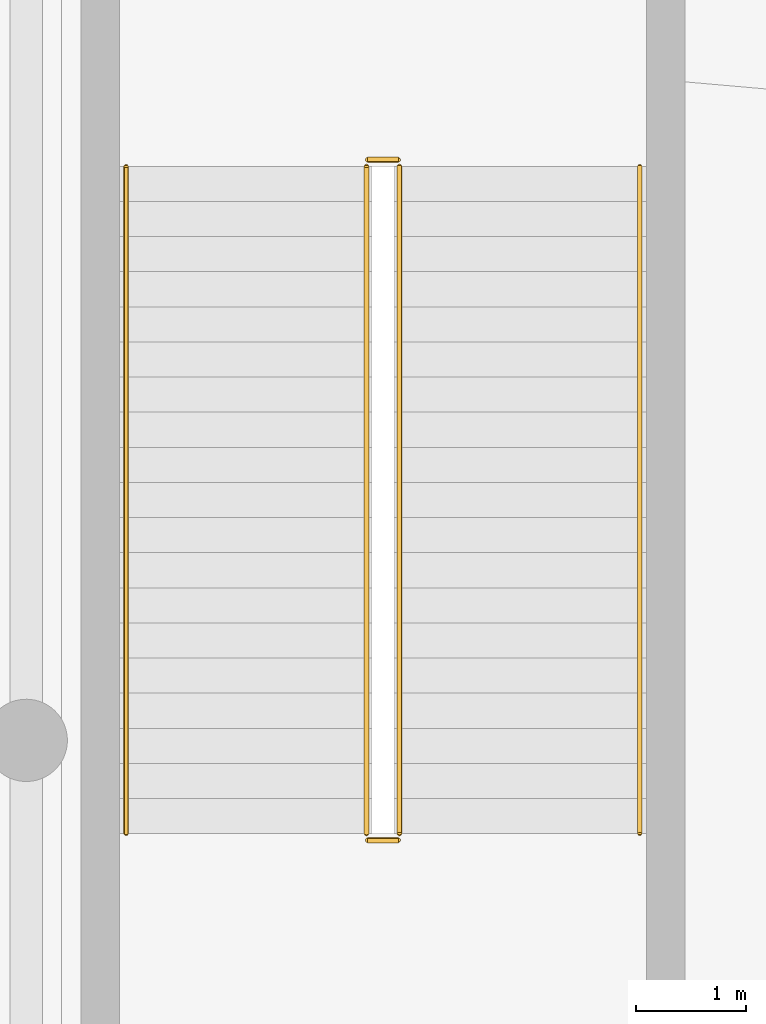
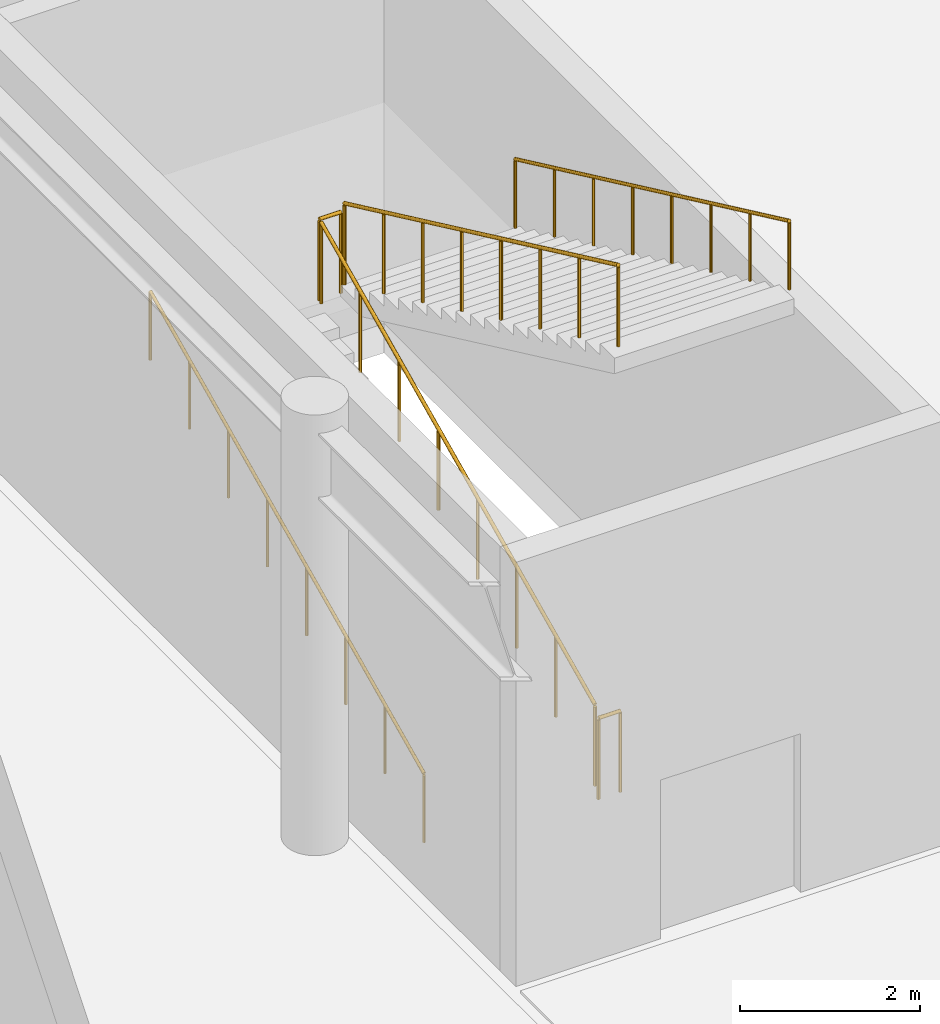
# One storey, part 108 of 118: 6 railings, 1 element without a shape of its own.
"""IFC4 building model written with IfcOpenShell, lengths in metres."""

from ifc_helpers import new_model, si_unit, direction, frame, origin, origin_2d, place, context, subcontext, project, spatial, circle, extrude, material, type_object, element, aggregate, save


model = new_model("IFC4")

# Units and contexts
model_context = context("Model", 3, precision=1e-05, world=origin(), true_north=direction((0.0, 1.0)))
body_context = subcontext(model_context, "Body", "Model", "MODEL_VIEW")
ifc_project = project(units=[si_unit("LENGTHUNIT", "METRE"), si_unit("AREAUNIT", "SQUARE_METRE"), si_unit("VOLUMEUNIT", "CUBIC_METRE"), si_unit("PLANEANGLEUNIT", "RADIAN"), si_unit("MASSUNIT", "GRAM", prefix="KILO")], contexts=[model_context])

# Site, building, storey
site_placement = place(None, origin())
site = spatial("IfcSite", under=ifc_project, at=site_placement, CompositionType="ELEMENT")
building_placement = place(site_placement, origin())
building = spatial("IfcBuilding", under=site, at=building_placement, Name="Kolvaren Corner Interchange", CompositionType="ELEMENT")
storey_placement = place(building_placement, origin())
storey = spatial("IfcBuildingStorey", under=building, at=storey_placement, Name="L01", CompositionType="ELEMENT", Elevation=0.0)

# Railing
ifc_material_1 = material(Name="Powder-Coated Steel Stairwell Guardrail", Category="steel")
railing_type_1 = type_object("IfcRailingType", Name="RLT-STAIR-GRD1120", PredefinedType="GUARDRAIL", material=ifc_material_1)
railing_1_placement = place(storey_placement, frame((117.110107421875, 53.090087890625, 0.0)))
element("IfcRailing", 1, at=railing_1_placement, inside=storey, type_object=railing_type_1, Name="Core C4 East Concourse Transfer Stair L01 Landing Edge Guardrail", PredefinedType="GUARDRAIL", context=body_context, shape_type="SweptSolid", body=[
    extrude(circle(Radius=0.02392578125, at=origin_2d()), frame((0.0, 0.0, 1.09619140625), z_axis=(1.0, 0.0, 0.0), x_axis=(0.0, 1.0, 0.0)), (0.0, 0.0, 1.0), 0.27978515625),
    extrude(circle(Radius=0.02001953125, at=origin_2d()), origin(), (0.0, 0.0, 1.0), 1.072021484375),
    extrude(circle(Radius=0.02001953125, at=origin_2d()), frame((0.27978515625, 0.0, 0.0)), (0.0, 0.0, 1.0), 1.072021484375),
])

# Stair, railings
ifc_material_2 = material(Name="Concrete C35/45", Category="concrete")
stair_type = type_object("IfcStairType", Name="ST-TR-2300", PredefinedType="HALF_TURN_STAIR", material=ifc_material_2)
stair_placement = place(storey_placement, origin())
stair = element("IfcStair", 2, at=stair_placement, inside=storey, type_object=stair_type, Name="Core C4 East Concourse Transfer Stair L01 to L02 Stair", PredefinedType="HALF_TURN_STAIR")
railing_2_placement = place(storey_placement, frame((117.10009765625, 53.14990234375, 0.14990234375)))
railing_2 = element("IfcRailing", 3, at=railing_2_placement, type_object=railing_type_1, Name="Core C4 East Concourse Transfer Stair L01 Lower Flight Well Guardrail", PredefinedType="GUARDRAIL", context=body_context, shape_type="SweptSolid", body=[
    extrude(circle(Radius=0.02392578125, at=origin_2d()), frame((0.0, 0.0, 1.09619140625), z_axis=(0.0, 0.905455442782, 0.424441328262), x_axis=(-1.0, 0.0, 0.0)), (0.0, 0.0, 1.0), 6.71484375),
    extrude(circle(Radius=0.02001953125, at=origin_2d()), origin(), (0.0, 0.0, 1.0), 1.072021484375),
    extrude(circle(Radius=0.02001953125, at=origin_2d()), frame((0.0, 0.86865234375, 0.4072265625)), (0.0, 0.0, 1.0), 1.072021484375),
    extrude(circle(Radius=0.02001953125, at=origin_2d()), frame((0.0, 1.737060546875, 0.814208984375)), (0.0, 0.0, 1.0), 1.072021484375),
    extrude(circle(Radius=0.02001953125, at=origin_2d()), frame((0.0, 2.605712890625, 1.221435546875)), (0.0, 0.0, 1.0), 1.072021484375),
    extrude(circle(Radius=0.02001953125, at=origin_2d()), frame((0.0, 3.474365234375, 1.628662109375)), (0.0, 0.0, 1.0), 1.072021484375),
    extrude(circle(Radius=0.02001953125, at=origin_2d()), frame((0.0, 4.343017578125, 2.035888671875)), (0.0, 0.0, 1.0), 1.072021484375),
    extrude(circle(Radius=0.02001953125, at=origin_2d()), frame((0.0, 5.21142578125, 2.44287109375)), (0.0, 0.0, 1.0), 1.072021484375),
    extrude(circle(Radius=0.02001953125, at=origin_2d()), frame((0.0, 6.080078125, 2.85009765625)), (0.0, 0.0, 1.0), 1.072021484375),
])
railing_3_placement = place(storey_placement, frame((117.110107421875, 59.2900390625, 3.0)))
railing_3 = element("IfcRailing", 4, at=railing_3_placement, type_object=railing_type_1, Name="Core C4 East Concourse Transfer Stair L01 Half Landing Well Guardrail", PredefinedType="GUARDRAIL", context=body_context, shape_type="SweptSolid", body=[
    extrude(circle(Radius=0.02392578125, at=origin_2d()), frame((0.0, 0.0, 1.09619140625), z_axis=(1.0, 0.0, 0.0), x_axis=(0.0, 1.0, 0.0)), (0.0, 0.0, 1.0), 0.27978515625),
    extrude(circle(Radius=0.02001953125, at=origin_2d()), origin(), (0.0, 0.0, 1.0), 1.072021484375),
    extrude(circle(Radius=0.02001953125, at=origin_2d()), frame((0.27978515625, 0.0, 0.0)), (0.0, 0.0, 1.0), 1.072021484375),
])
railing_4_placement = place(storey_placement, frame((117.39990234375, 59.22998046875, 3.14990234375)))
railing_4 = element("IfcRailing", 5, at=railing_4_placement, type_object=railing_type_1, Name="Core C4 East Concourse Transfer Stair L01 Upper Flight Well Guardrail", PredefinedType="GUARDRAIL", context=body_context, shape_type="SweptSolid", body=[
    extrude(circle(Radius=0.02392578125, at=origin_2d()), frame((0.0, 0.0, 1.09619140625), z_axis=(0.0, -0.905455442782, 0.424441328262), x_axis=(1.0, 0.0, 0.0)), (0.0, 0.0, 1.0), 6.71484375),
    extrude(circle(Radius=0.02001953125, at=origin_2d()), origin(), (0.0, 0.0, 1.0), 1.072021484375),
    extrude(circle(Radius=0.02001953125, at=origin_2d()), frame((0.0, -0.86865234375, 0.4072265625)), (0.0, 0.0, 1.0), 1.072021484375),
    extrude(circle(Radius=0.02001953125, at=origin_2d()), frame((0.0, -1.737060546875, 0.814208984375)), (0.0, 0.0, 1.0), 1.072021484375),
    extrude(circle(Radius=0.02001953125, at=origin_2d()), frame((0.0, -2.605712890625, 1.221435546875)), (0.0, 0.0, 1.0), 1.072021484375),
    extrude(circle(Radius=0.02001953125, at=origin_2d()), frame((0.0, -3.474365234375, 1.628662109375)), (0.0, 0.0, 1.0), 1.072021484375),
    extrude(circle(Radius=0.02001953125, at=origin_2d()), frame((0.0, -4.343017578125, 2.035888671875)), (0.0, 0.0, 1.0), 1.072021484375),
    extrude(circle(Radius=0.02001953125, at=origin_2d()), frame((0.0, -5.21142578125, 2.44287109375)), (0.0, 0.0, 1.0), 1.072021484375),
    extrude(circle(Radius=0.02001953125, at=origin_2d()), frame((0.0, -6.080078125, 2.85009765625)), (0.0, 0.0, 1.0), 1.072021484375),
])
ifc_material_3 = material(Name="Brushed Stainless Steel Stair Handrail", Category="steel")
railing_type_2 = type_object("IfcRailingType", Name="RLT-STAIR-HR950", PredefinedType="HANDRAIL", material=ifc_material_3)
railing_5_placement = place(storey_placement, frame((114.909912109375, 53.14990234375, 0.14990234375)))
railing_5 = element("IfcRailing", 6, at=railing_5_placement, type_object=railing_type_2, Name="Core C4 East Concourse Transfer Stair L01 Lower Flight Wall Handrail", PredefinedType="HANDRAIL", context=body_context, shape_type="SweptSolid", body=[
    extrude(circle(Radius=0.02197265625, at=origin_2d()), frame((0.0, 0.0, 0.927978515625), z_axis=(0.0, 0.905455442782, 0.424441328262), x_axis=(-1.0, 0.0, 0.0)), (0.0, 0.0, 1.0), 6.71484375),
    extrude(circle(Radius=0.01806640625, at=origin_2d()), origin(), (0.0, 0.0, 1.0), 0.906005859375),
    extrude(circle(Radius=0.01806640625, at=origin_2d()), frame((0.0, 0.86865234375, 0.4072265625)), (0.0, 0.0, 1.0), 0.906005859375),
    extrude(circle(Radius=0.01806640625, at=origin_2d()), frame((0.0, 1.737060546875, 0.814208984375)), (0.0, 0.0, 1.0), 0.906005859375),
    extrude(circle(Radius=0.01806640625, at=origin_2d()), frame((0.0, 2.605712890625, 1.221435546875)), (0.0, 0.0, 1.0), 0.906005859375),
    extrude(circle(Radius=0.01806640625, at=origin_2d()), frame((0.0, 3.474365234375, 1.628662109375)), (0.0, 0.0, 1.0), 0.906005859375),
    extrude(circle(Radius=0.01806640625, at=origin_2d()), frame((0.0, 4.343017578125, 2.035888671875)), (0.0, 0.0, 1.0), 0.906005859375),
    extrude(circle(Radius=0.01806640625, at=origin_2d()), frame((0.0, 5.21142578125, 2.44287109375)), (0.0, 0.0, 1.0), 0.906005859375),
    extrude(circle(Radius=0.01806640625, at=origin_2d()), frame((0.0, 6.080078125, 2.85009765625)), (0.0, 0.0, 1.0), 0.906005859375),
])
railing_6_placement = place(storey_placement, frame((119.590087890625, 59.22998046875, 3.14990234375)))
railing_6 = element("IfcRailing", 7, at=railing_6_placement, type_object=railing_type_2, Name="Core C4 East Concourse Transfer Stair L01 Upper Flight Wall Handrail", PredefinedType="HANDRAIL", context=body_context, shape_type="SweptSolid", body=[
    extrude(circle(Radius=0.02197265625, at=origin_2d()), frame((0.0, 0.0, 0.927978515625), z_axis=(0.0, -0.905455442782, 0.424441328262), x_axis=(1.0, 0.0, 0.0)), (0.0, 0.0, 1.0), 6.71484375),
    extrude(circle(Radius=0.01806640625, at=origin_2d()), origin(), (0.0, 0.0, 1.0), 0.906005859375),
    extrude(circle(Radius=0.01806640625, at=origin_2d()), frame((0.0, -0.86865234375, 0.4072265625)), (0.0, 0.0, 1.0), 0.906005859375),
    extrude(circle(Radius=0.01806640625, at=origin_2d()), frame((0.0, -1.737060546875, 0.814208984375)), (0.0, 0.0, 1.0), 0.906005859375),
    extrude(circle(Radius=0.01806640625, at=origin_2d()), frame((0.0, -2.605712890625, 1.221435546875)), (0.0, 0.0, 1.0), 0.906005859375),
    extrude(circle(Radius=0.01806640625, at=origin_2d()), frame((0.0, -3.474365234375, 1.628662109375)), (0.0, 0.0, 1.0), 0.906005859375),
    extrude(circle(Radius=0.01806640625, at=origin_2d()), frame((0.0, -4.343017578125, 2.035888671875)), (0.0, 0.0, 1.0), 0.906005859375),
    extrude(circle(Radius=0.01806640625, at=origin_2d()), frame((0.0, -5.21142578125, 2.44287109375)), (0.0, 0.0, 1.0), 0.906005859375),
    extrude(circle(Radius=0.01806640625, at=origin_2d()), frame((0.0, -6.080078125, 2.85009765625)), (0.0, 0.0, 1.0), 0.906005859375),
])
aggregate(stair, [railing_2, railing_3, railing_4, railing_5, railing_6])

save(model, "model.ifc")
